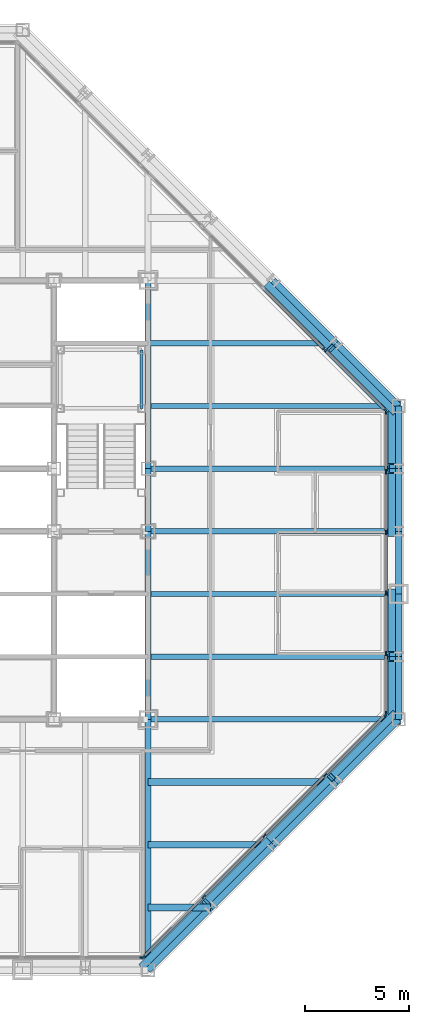
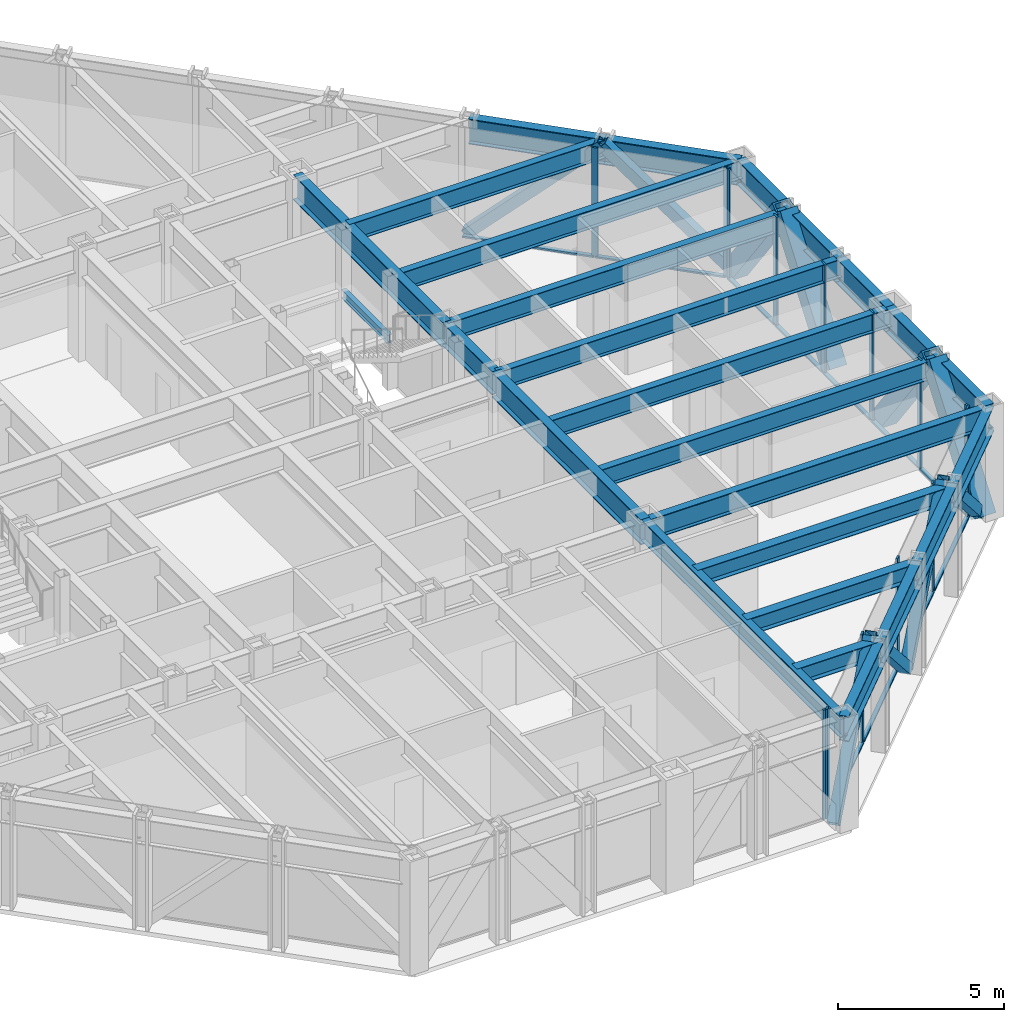
# One storey, part 6 of 15: 35 members, 26 beams, 4 elements without a shape of their own.
"""IFC4 building model written with IfcOpenShell, lengths in metres."""

from ifc_helpers import new_model, si_unit, direction, frame, origin, origin_2d, place, context, subcontext, project, spatial, rectangle, hollow_rectangle, i_section, extrude, material, layer, layer_set, material_profile, profile_set, type_object, element, aggregate, save


model = new_model("IFC4")

# Units and contexts
model_context = context("Model", 3, precision=1e-05, world=origin(), true_north=direction((0.0, 1.0)))
body_context = subcontext(model_context, "Body", "Model", "MODEL_VIEW")
ifc_project = project(units=[si_unit("LENGTHUNIT", "METRE"), si_unit("AREAUNIT", "SQUARE_METRE"), si_unit("VOLUMEUNIT", "CUBIC_METRE"), si_unit("PLANEANGLEUNIT", "RADIAN"), si_unit("MASSUNIT", "GRAM", prefix="KILO")], contexts=[model_context])

# Site, building, storey
site_placement = place(None, origin())
site = spatial("IfcSite", under=ifc_project, at=site_placement, CompositionType="ELEMENT")
building_placement = place(site_placement, origin())
building = spatial("IfcBuilding", under=site, at=building_placement, Name="Chuquiago Exchange Tower", CompositionType="ELEMENT")
storey_placement = place(building_placement, frame((0.0, 0.0, 197.10009765625)))
storey = spatial("IfcBuildingStorey", under=building, at=storey_placement, Name="L43", CompositionType="ELEMENT", Elevation=197.10009765625)

# Beams
ifc_material_1 = material(Name="Steel ASTM A992", Category="steel")
ifc_material_profile_1 = material_profile(ifc_material_1, i_section(OverallWidth=0.25390625, OverallDepth=0.683349609375, WebThickness=0.012451171875, FlangeThickness=0.018798828125, at=origin_2d()), Name="W27X94")
ifc_profile_set_1 = profile_set([ifc_material_profile_1], Name="Steel ASTM A992")
beam_type_1 = type_object("IfcBeamType", Name="B1 W27X94", PredefinedType="BEAM", material=ifc_profile_set_1)
for number, where, z_axis, x_axis, name in (
    (1, (33.0, 15.0, 3.6982421875), (1.0, 0.0, 0.0), (0.0, 1.0, 0.0), "FB-L44-infill-33_15-45_15-0"),
    (2, (33.0, 18.0, 3.6982421875), (1.0, 0.0, 0.0), (0.0, 1.0, 0.0), "FB-L44-infill-33_18-45_18-0"),
    (3, (33.0, 21.0, 3.6982421875), (1.0, 0.0, 0.0), (0.0, 1.0, 0.0), "FB-L44-infill-33_21-45_21-0"),
    (4, (33.0, 24.0, 3.6982421875), (1.0, 0.0, 0.0), (0.0, 1.0, 0.0), "FB-L44-infill-33_24-45_24-0"),
    (5, (33.0, 27.0, 3.6982421875), (1.0, 0.0, 0.0), (0.0, 1.0, 0.0), "FB-L44-infill-33_27-45_27-0"),
):
    element("IfcBeam", number, at=place(storey_placement, frame(where, z_axis=z_axis, x_axis=x_axis)), inside=storey, type_object=beam_type_1, Name=name, PredefinedType="BEAM", context=body_context, shape_type="SweptSolid", body=[
        extrude(i_section(OverallWidth=0.25390625, OverallDepth=0.683349609375, WebThickness=0.012451171875, FlangeThickness=0.018798828125, at=origin_2d()), origin(), (0.0, 0.0, 1.0), 12.0),
    ])
beam_1_placement = place(storey_placement, frame((33.0, 30.0, 3.6982421875), z_axis=(1.0, 0.0, 0.0), x_axis=(0.0, 1.0, 0.0)))
element("IfcBeam", 6, at=beam_1_placement, inside=storey, type_object=beam_type_1, Name="FB-L44-infill-33_30-42_30-0", PredefinedType="BEAM", context=body_context, shape_type="SweptSolid", body=[
    extrude(i_section(OverallWidth=0.25390625, OverallDepth=0.683349609375, WebThickness=0.012451171875, FlangeThickness=0.018798828125, at=origin_2d()), origin(), (0.0, 0.0, 1.0), 9.0),
])
ifc_material_2 = material(Name="Steel ASTM A992", Category="steel")
ifc_material_profile_2 = material_profile(ifc_material_2, i_section(OverallWidth=0.307373046875, OverallDepth=0.927001953125, WebThickness=0.01953125, FlangeThickness=0.031982421875, at=origin_2d()), Name="W36X194")
ifc_profile_set_2 = profile_set([ifc_material_profile_2], Name="Steel ASTM A992")
beam_type_2 = type_object("IfcBeamType", Name="B10 W36X194", PredefinedType="BEAM", material=ifc_profile_set_2)
for number, where, z_axis, x_axis, name in (
    (7, (33.0, 12.0, 3.576416015625), (0.0, 1.0, 0.0), (-1.0, 0.0, 0.0), "CB-L44-33_12-33_21"),
    (8, (33.0, 24.0, 3.576416015625), (0.0, 1.0, 0.0), (-1.0, 0.0, 0.0), "CB-L44-33_24-33_33"),
):
    element("IfcBeam", number, at=place(storey_placement, frame(where, z_axis=z_axis, x_axis=x_axis)), inside=storey, type_object=beam_type_2, Name=name, PredefinedType="BEAM", context=body_context, shape_type="SweptSolid", body=[
        extrude(i_section(OverallWidth=0.307373046875, OverallDepth=0.927001953125, WebThickness=0.01953125, FlangeThickness=0.031982421875, at=origin_2d()), origin(), (0.0, 0.0, 1.0), 9.0),
    ])
ifc_material_3 = material(Name="Steel ASTM A992", Category="steel")
ifc_material_profile_3 = material_profile(ifc_material_3, i_section(OverallWidth=0.3251953125, OverallDepth=0.612060546875, WebThickness=0.0126953125, FlangeThickness=0.01904296875, at=origin_2d()), Name="W24X104")
ifc_profile_set_3 = profile_set([ifc_material_profile_3], Name="Steel ASTM A992")
beam_type_3 = type_object("IfcBeamType", Name="B2 W24X104", PredefinedType="BEAM", material=ifc_profile_set_3)
beam_2_placement = place(storey_placement, frame((33.0, 3.0, 3.73388671875), z_axis=(1.0, 0.0, 0.0), x_axis=(0.0, 1.0, 0.0)))
element("IfcBeam", 9, at=beam_2_placement, inside=storey, type_object=beam_type_3, Name="FB-L44-corner-33_3-36_3-0", PredefinedType="BEAM", context=body_context, shape_type="SweptSolid", body=[
    extrude(i_section(OverallWidth=0.3251953125, OverallDepth=0.612060546875, WebThickness=0.0126953125, FlangeThickness=0.01904296875, at=origin_2d()), origin(), (0.0, 0.0, 1.0), 3.0),
])
beam_3_placement = place(storey_placement, frame((33.0, 6.0, 3.73388671875), z_axis=(1.0, 0.0, 0.0), x_axis=(0.0, 1.0, 0.0)))
element("IfcBeam", 10, at=beam_3_placement, inside=storey, type_object=beam_type_3, Name="FB-L44-corner-33_6-39_6-0", PredefinedType="BEAM", context=body_context, shape_type="SweptSolid", body=[
    extrude(i_section(OverallWidth=0.3251953125, OverallDepth=0.612060546875, WebThickness=0.0126953125, FlangeThickness=0.01904296875, at=origin_2d()), origin(), (0.0, 0.0, 1.0), 6.0),
])
beam_4_placement = place(storey_placement, frame((33.0, 9.0, 3.73388671875), z_axis=(1.0, 0.0, 0.0), x_axis=(0.0, 1.0, 0.0)))
element("IfcBeam", 11, at=beam_4_placement, inside=storey, type_object=beam_type_3, Name="FB-L44-corner-33_9-42_9-0", PredefinedType="BEAM", context=body_context, shape_type="SweptSolid", body=[
    extrude(i_section(OverallWidth=0.3251953125, OverallDepth=0.612060546875, WebThickness=0.0126953125, FlangeThickness=0.01904296875, at=origin_2d()), origin(), (0.0, 0.0, 1.0), 9.0),
])
ifc_material_4 = material(Name="Steel ASTM A992", Category="steel")
ifc_material_profile_4 = material_profile(ifc_material_4, i_section(OverallWidth=0.2919921875, OverallDepth=0.8583984375, WebThickness=0.01708984375, FlangeThickness=0.031005859375, at=origin_2d()), Name="W33X169")
ifc_profile_set_4 = profile_set([ifc_material_profile_4], Name="Steel ASTM A992")
beam_type_4 = type_object("IfcBeamType", Name="B3 W33X169", PredefinedType="BEAM", material=ifc_profile_set_4)
beam_5_placement = place(storey_placement, frame((33.0, 21.0, 3.610595703125), z_axis=(0.0, 1.0, 0.0), x_axis=(-1.0, 0.0, 0.0)))
element("IfcBeam", 12, at=beam_5_placement, inside=storey, type_object=beam_type_4, Name="CB-L44-33_21-33_24", PredefinedType="BEAM", context=body_context, shape_type="SweptSolid", body=[
    extrude(i_section(OverallWidth=0.2919921875, OverallDepth=0.8583984375, WebThickness=0.01708984375, FlangeThickness=0.031005859375, at=origin_2d()), origin(), (0.0, 0.0, 1.0), 3.0),
])

# Curtain wall, member
ifc_material_5 = material(Name="Aluminium curtain wall system", Category="aluminium")
ifc_layer_1 = layer(ifc_material_5, 0.22509765625)
ifc_layer_set_1 = layer_set([ifc_layer_1], Name="CW2 office curtain wall")
curtain_wall_type_1 = type_object("IfcCurtainWallType", Name="CW2 office curtain wall", PredefinedType="NOTDEFINED", material=ifc_layer_set_1)
curtain_wall_1_placement = place(storey_placement, origin())
curtain_wall_1 = element("IfcCurtainWall", 13, at=curtain_wall_1_placement, inside=storey, type_object=curtain_wall_type_1, Name="CW2 curtain wall L43", PredefinedType="NOTDEFINED")
ifc_material_6 = material(Name="Aluminium mullion, pale anodised", Category="aluminium")
ifc_material_profile_5 = material_profile(ifc_material_6, rectangle(XDim=0.06494140625, YDim=0.22509765625, at=origin_2d()), Name="AL 65x225")
ifc_profile_set_5 = profile_set([ifc_material_profile_5], Name="Aluminium mullion, pale anodised")
member_type_1 = type_object("IfcMemberType", Name="CW2-M mullion 65x225", PredefinedType="MULLION", material=ifc_profile_set_5)
member_1_placement = place(storey_placement, frame((32.718994140625, 0.60009765625, 0.0), z_axis=(0.0, 0.0, 1.0), x_axis=(0.0, 1.0, 0.0)))
member_1 = element("IfcMember", 14, at=member_1_placement, type_object=member_type_1, Name="CW2 mullion 6", PredefinedType="MULLION", context=body_context, shape_type="SweptSolid", body=[
    extrude(rectangle(XDim=0.06494140625, YDim=0.22509765625, at=origin_2d()), origin(), (0.0, 0.0, 1.0), 4.039794921875),
])
aggregate(curtain_wall_1, [member_1])

# Curtain wall, members
curtain_wall_2_placement = place(storey_placement, origin())
curtain_wall_2 = element("IfcCurtainWall", 15, at=curtain_wall_2_placement, inside=storey, type_object=curtain_wall_type_1, Name="CW2 curtain wall L43", PredefinedType="NOTDEFINED")
member_2_placement = place(storey_placement, frame((44.39990234375, 12.281005859375, 0.0), z_axis=(0.0, 0.0, 1.0), x_axis=(-1.0, 0.0, 0.0)))
member_2 = element("IfcMember", 16, at=member_2_placement, type_object=member_type_1, Name="CW2 mullion 1", PredefinedType="MULLION", context=body_context, shape_type="SweptSolid", body=[
    extrude(rectangle(XDim=0.06494140625, YDim=0.22509765625, at=origin_2d()), origin(), (0.0, 0.0, 1.0), 4.039794921875),
])
member_3_placement = place(storey_placement, frame((44.39990234375, 15.149169921875, 0.0), z_axis=(0.0, 0.0, 1.0), x_axis=(-1.0, 0.0, 0.0)))
member_3 = element("IfcMember", 17, at=member_3_placement, type_object=member_type_1, Name="CW2 mullion 2", PredefinedType="MULLION", context=body_context, shape_type="SweptSolid", body=[
    extrude(rectangle(XDim=0.06494140625, YDim=0.22509765625, at=origin_2d()), origin(), (0.0, 0.0, 1.0), 4.039794921875),
])
member_4_placement = place(storey_placement, frame((44.39990234375, 18.0498046875, 0.0), z_axis=(0.0, 0.0, 1.0), x_axis=(-1.0, 0.0, 0.0)))
member_4 = element("IfcMember", 18, at=member_4_placement, type_object=member_type_1, Name="CW2 mullion 3", PredefinedType="MULLION", context=body_context, shape_type="SweptSolid", body=[
    extrude(rectangle(XDim=0.06494140625, YDim=0.22509765625, at=origin_2d()), origin(), (0.0, 0.0, 1.0), 4.039794921875),
])
member_5_placement = place(storey_placement, frame((44.39990234375, 20.9501953125, 0.0), z_axis=(0.0, 0.0, 1.0), x_axis=(-1.0, 0.0, 0.0)))
member_5 = element("IfcMember", 19, at=member_5_placement, type_object=member_type_1, Name="CW2 mullion 4", PredefinedType="MULLION", context=body_context, shape_type="SweptSolid", body=[
    extrude(rectangle(XDim=0.06494140625, YDim=0.22509765625, at=origin_2d()), origin(), (0.0, 0.0, 1.0), 4.039794921875),
])
member_6_placement = place(storey_placement, frame((44.39990234375, 23.850830078125, 0.0), z_axis=(0.0, 0.0, 1.0), x_axis=(-1.0, 0.0, 0.0)))
member_6 = element("IfcMember", 20, at=member_6_placement, type_object=member_type_1, Name="CW2 mullion 5", PredefinedType="MULLION", context=body_context, shape_type="SweptSolid", body=[
    extrude(rectangle(XDim=0.06494140625, YDim=0.22509765625, at=origin_2d()), origin(), (0.0, 0.0, 1.0), 4.039794921875),
])
member_7_placement = place(storey_placement, frame((44.39990234375, 26.718994140625, 0.0), z_axis=(0.0, 0.0, 1.0), x_axis=(-1.0, 0.0, 0.0)))
member_7 = element("IfcMember", 21, at=member_7_placement, type_object=member_type_1, Name="CW2 mullion 6", PredefinedType="MULLION", context=body_context, shape_type="SweptSolid", body=[
    extrude(rectangle(XDim=0.06494140625, YDim=0.22509765625, at=origin_2d()), origin(), (0.0, 0.0, 1.0), 4.039794921875),
])
ifc_material_7 = material(Name="Aluminium transom, pale anodised", Category="aluminium")
ifc_material_profile_6 = material_profile(ifc_material_7, rectangle(XDim=0.139892578125, YDim=0.06494140625, at=origin_2d()), Name="AL 140x65")
ifc_profile_set_6 = profile_set([ifc_material_profile_6], Name="Aluminium transom, pale anodised")
member_type_2 = type_object("IfcMemberType", Name="CW2-T transom 65x140", PredefinedType="MULLION", material=ifc_profile_set_6)
member_8_placement = place(storey_placement, frame((44.39990234375, 12.3134765625, 0.032470703125), z_axis=(0.0, 1.0, 0.0), x_axis=(-1.0, 0.0, 0.0)))
member_8 = element("IfcMember", 22, at=member_8_placement, type_object=member_type_2, Name="CW2 transom 1.1", PredefinedType="MULLION", context=body_context, shape_type="SweptSolid", body=[
    extrude(rectangle(XDim=0.139892578125, YDim=0.06494140625, at=origin_2d()), origin(), (0.0, 0.0, 1.0), 2.80322265625),
])
member_9_placement = place(storey_placement, frame((44.39990234375, 15.181640625, 0.032470703125), z_axis=(0.0, 1.0, 0.0), x_axis=(-1.0, 0.0, 0.0)))
member_9 = element("IfcMember", 23, at=member_9_placement, type_object=member_type_2, Name="CW2 transom 2.1", PredefinedType="MULLION", context=body_context, shape_type="SweptSolid", body=[
    extrude(rectangle(XDim=0.139892578125, YDim=0.06494140625, at=origin_2d()), origin(), (0.0, 0.0, 1.0), 2.83544921875),
])
member_10_placement = place(storey_placement, frame((44.39990234375, 18.082275390625, 0.032470703125), z_axis=(0.0, 1.0, 0.0), x_axis=(-1.0, 0.0, 0.0)))
member_10 = element("IfcMember", 24, at=member_10_placement, type_object=member_type_2, Name="CW2 transom 3.1", PredefinedType="MULLION", context=body_context, shape_type="SweptSolid", body=[
    extrude(rectangle(XDim=0.139892578125, YDim=0.06494140625, at=origin_2d()), origin(), (0.0, 0.0, 1.0), 2.83544921875),
])
member_11_placement = place(storey_placement, frame((44.39990234375, 20.98291015625, 0.032470703125), z_axis=(0.0, 1.0, 0.0), x_axis=(-1.0, 0.0, 0.0)))
member_11 = element("IfcMember", 25, at=member_11_placement, type_object=member_type_2, Name="CW2 transom 4.1", PredefinedType="MULLION", context=body_context, shape_type="SweptSolid", body=[
    extrude(rectangle(XDim=0.139892578125, YDim=0.06494140625, at=origin_2d()), origin(), (0.0, 0.0, 1.0), 2.83544921875),
])
member_12_placement = place(storey_placement, frame((44.39990234375, 23.88330078125, 0.032470703125), z_axis=(0.0, 1.0, 0.0), x_axis=(-1.0, 0.0, 0.0)))
member_12 = element("IfcMember", 26, at=member_12_placement, type_object=member_type_2, Name="CW2 transom 5.1", PredefinedType="MULLION", context=body_context, shape_type="SweptSolid", body=[
    extrude(rectangle(XDim=0.139892578125, YDim=0.06494140625, at=origin_2d()), origin(), (0.0, 0.0, 1.0), 2.80322265625),
])
aggregate(curtain_wall_2, [member_2, member_3, member_4, member_5, member_6, member_7, member_8, member_9, member_10, member_11, member_12])

ifc_material_8 = material(Name="Aluminium curtain wall system", Category="aluminium")
ifc_layer_2 = layer(ifc_material_8, 0.199951171875)
ifc_layer_set_2 = layer_set([ifc_layer_2], Name="CW3 facet curtain wall")
curtain_wall_type_2 = type_object("IfcCurtainWallType", Name="CW3 facet curtain wall", PredefinedType="NOTDEFINED", material=ifc_layer_set_2)
curtain_wall_3_placement = place(storey_placement, origin())
curtain_wall_3 = element("IfcCurtainWall", 27, at=curtain_wall_3_placement, inside=storey, type_object=curtain_wall_type_2, Name="CW3 curtain wall L43", PredefinedType="NOTDEFINED")
ifc_material_9 = material(Name="Aluminium mullion, pale anodised", Category="aluminium")
ifc_material_profile_7 = material_profile(ifc_material_9, rectangle(XDim=0.06494140625, YDim=0.199951171875, at=origin_2d()), Name="AL 65x200")
ifc_profile_set_7 = profile_set([ifc_material_profile_7], Name="Aluminium mullion, pale anodised")
member_type_3 = type_object("IfcMemberType", Name="CW3-M mullion 65x200", PredefinedType="MULLION", material=ifc_profile_set_7)
member_13_placement = place(storey_placement, frame((32.7744140625, 0.623046875, 0.0), z_axis=(0.0, 0.0, 1.0), x_axis=(-0.707106781187, 0.707106781187, 0.0)))
member_13 = element("IfcMember", 28, at=member_13_placement, type_object=member_type_3, Name="CW3 mullion 1", PredefinedType="MULLION", context=body_context, shape_type="SweptSolid", body=[
    extrude(rectangle(XDim=0.06494140625, YDim=0.199951171875, at=origin_2d()), origin(), (0.0, 0.0, 1.0), 4.039794921875),
])
member_14_placement = place(storey_placement, frame((35.66357421875, 3.51220703125, 0.0), z_axis=(0.0, 0.0, 1.0), x_axis=(-0.707106781187, 0.707106781187, 0.0)))
member_14 = element("IfcMember", 29, at=member_14_placement, type_object=member_type_3, Name="CW3 mullion 2", PredefinedType="MULLION", context=body_context, shape_type="SweptSolid", body=[
    extrude(rectangle(XDim=0.06494140625, YDim=0.199951171875, at=origin_2d()), origin(), (0.0, 0.0, 1.0), 4.039794921875),
])
member_15_placement = place(storey_placement, frame((38.57568359375, 6.42431640625, 0.0), z_axis=(0.0, 0.0, 1.0), x_axis=(-0.707106781187, 0.707106781187, 0.0)))
member_15 = element("IfcMember", 30, at=member_15_placement, type_object=member_type_3, Name="CW3 mullion 3", PredefinedType="MULLION", context=body_context, shape_type="SweptSolid", body=[
    extrude(rectangle(XDim=0.06494140625, YDim=0.199951171875, at=origin_2d()), origin(), (0.0, 0.0, 1.0), 4.039794921875),
])
member_16_placement = place(storey_placement, frame((41.48779296875, 9.33642578125, 0.0), z_axis=(0.0, 0.0, 1.0), x_axis=(-0.707106781187, 0.707106781187, 0.0)))
member_16 = element("IfcMember", 31, at=member_16_placement, type_object=member_type_3, Name="CW3 mullion 4", PredefinedType="MULLION", context=body_context, shape_type="SweptSolid", body=[
    extrude(rectangle(XDim=0.06494140625, YDim=0.199951171875, at=origin_2d()), origin(), (0.0, 0.0, 1.0), 4.039794921875),
])
member_17_placement = place(storey_placement, frame((44.376953125, 12.2255859375, 0.0), z_axis=(0.0, 0.0, 1.0), x_axis=(-0.707106781187, 0.707106781187, 0.0)))
member_17 = element("IfcMember", 32, at=member_17_placement, type_object=member_type_3, Name="CW3 mullion 5", PredefinedType="MULLION", context=body_context, shape_type="SweptSolid", body=[
    extrude(rectangle(XDim=0.06494140625, YDim=0.199951171875, at=origin_2d()), origin(), (0.0, 0.0, 1.0), 4.039794921875),
])

curtain_wall_4_placement = place(storey_placement, origin())
curtain_wall_4 = element("IfcCurtainWall", 33, at=curtain_wall_4_placement, inside=storey, type_object=curtain_wall_type_2, Name="CW3 curtain wall L43", PredefinedType="NOTDEFINED")
member_18_placement = place(storey_placement, frame((44.376953125, 26.7744140625, 0.0), z_axis=(0.0, 0.0, 1.0), x_axis=(-0.707106781187, -0.707106781187, 0.0)))
member_18 = element("IfcMember", 34, at=member_18_placement, type_object=member_type_3, Name="CW3 mullion 1", PredefinedType="MULLION", context=body_context, shape_type="SweptSolid", body=[
    extrude(rectangle(XDim=0.06494140625, YDim=0.199951171875, at=origin_2d()), origin(), (0.0, 0.0, 1.0), 4.039794921875),
])
member_19_placement = place(storey_placement, frame((41.45849609375, 29.69287109375, 0.0), z_axis=(0.0, 0.0, 1.0), x_axis=(-0.707106781187, -0.707106781187, 0.0)))
member_19 = element("IfcMember", 35, at=member_19_placement, type_object=member_type_3, Name="CW3 mullion 2", PredefinedType="MULLION", context=body_context, shape_type="SweptSolid", body=[
    extrude(rectangle(XDim=0.06494140625, YDim=0.199951171875, at=origin_2d()), origin(), (0.0, 0.0, 1.0), 4.039794921875),
])

# Member
ifc_material_10 = material(Name="Aluminium transom, pale anodised", Category="aluminium")
ifc_material_profile_8 = material_profile(ifc_material_10, rectangle(XDim=0.139892578125, YDim=0.06494140625, at=origin_2d()), Name="AL 140x65")
ifc_profile_set_8 = profile_set([ifc_material_profile_8], Name="Aluminium transom, pale anodised")
member_type_4 = type_object("IfcMemberType", Name="CW3-T transom 65x140", PredefinedType="MULLION", material=ifc_profile_set_8)
member_20_placement = place(storey_placement, frame((32.79736328125, 0.64599609375, 0.032470703125), z_axis=(0.707106781187, 0.707106781187, 0.0), x_axis=(-0.707106781187, 0.707106781187, 0.0)))
member_20 = element("IfcMember", 36, at=member_20_placement, type_object=member_type_4, Name="CW3 transom 1.1", PredefinedType="MULLION", context=body_context, shape_type="SweptSolid", body=[
    extrude(rectangle(XDim=0.139892578125, YDim=0.06494140625, at=origin_2d()), origin(), (0.0, 0.0, 1.0), 4.02099609375),
])

member_21_placement = place(storey_placement, frame((35.6865234375, 3.53515625, 0.032470703125), z_axis=(0.707106781187, 0.707106781187, 0.0), x_axis=(-0.707106781187, 0.707106781187, 0.0)))
member_21 = element("IfcMember", 37, at=member_21_placement, type_object=member_type_4, Name="CW3 transom 2.1", PredefinedType="MULLION", context=body_context, shape_type="SweptSolid", body=[
    extrude(rectangle(XDim=0.139892578125, YDim=0.06494140625, at=origin_2d()), origin(), (0.0, 0.0, 1.0), 4.053466796875),
])

member_22_placement = place(storey_placement, frame((38.5986328125, 6.447265625, 0.032470703125), z_axis=(0.707106781187, 0.707106781187, 0.0), x_axis=(-0.707106781187, 0.707106781187, 0.0)))
member_22 = element("IfcMember", 38, at=member_22_placement, type_object=member_type_4, Name="CW3 transom 3.1", PredefinedType="MULLION", context=body_context, shape_type="SweptSolid", body=[
    extrude(rectangle(XDim=0.139892578125, YDim=0.06494140625, at=origin_2d()), origin(), (0.0, 0.0, 1.0), 4.053466796875),
])

member_23_placement = place(storey_placement, frame((41.5107421875, 9.359375, 0.032470703125), z_axis=(0.707106781187, 0.707106781187, 0.0), x_axis=(-0.707106781187, 0.707106781187, 0.0)))
member_23 = element("IfcMember", 39, at=member_23_placement, type_object=member_type_4, Name="CW3 transom 4.1", PredefinedType="MULLION", context=body_context, shape_type="SweptSolid", body=[
    extrude(rectangle(XDim=0.139892578125, YDim=0.06494140625, at=origin_2d()), origin(), (0.0, 0.0, 1.0), 4.02099609375),
])

aggregate(curtain_wall_3, [member_13, member_14, member_15, member_16, member_17, member_20, member_21, member_22, member_23])

member_24_placement = place(storey_placement, frame((44.35400390625, 26.79736328125, 0.032470703125), z_axis=(-0.707106781187, 0.707106781187, 0.0), x_axis=(-0.707106781187, -0.707106781187, 0.0)))
member_24 = element("IfcMember", 40, at=member_24_placement, type_object=member_type_4, Name="CW3 transom 1.1", PredefinedType="MULLION", context=body_context, shape_type="SweptSolid", body=[
    extrude(rectangle(XDim=0.139892578125, YDim=0.06494140625, at=origin_2d()), origin(), (0.0, 0.0, 1.0), 4.0625),
])

member_25_placement = place(storey_placement, frame((41.435546875, 29.7158203125, 0.032470703125), z_axis=(-0.707106781187, 0.707106781187, 0.0), x_axis=(-0.707106781187, -0.707106781187, 0.0)))
member_25 = element("IfcMember", 41, at=member_25_placement, type_object=member_type_4, Name="CW3 transom 2.1", PredefinedType="MULLION", context=body_context, shape_type="SweptSolid", body=[
    extrude(rectangle(XDim=0.139892578125, YDim=0.06494140625, at=origin_2d()), origin(), (0.0, 0.0, 1.0), 4.094970703125),
])

aggregate(curtain_wall_4, [member_18, member_19, member_24, member_25])

# Beams
ifc_material_11 = material(Name="Steel ASTM A992", Category="steel")
ifc_material_profile_9 = material_profile(ifc_material_11, i_section(OverallWidth=0.2666015625, OverallDepth=0.76953125, WebThickness=0.015625, FlangeThickness=0.025390625, at=origin_2d()), Name="W30X132")
ifc_profile_set_9 = profile_set([ifc_material_profile_9], Name="Steel ASTM A992")
beam_type_5 = type_object("IfcBeamType", Name="G1 W30X132", PredefinedType="BEAM", material=ifc_profile_set_9)
for number, where, z_axis, x_axis, name in (
    (42, (33.0, 12.0, 3.655029296875), (0.0, -1.0, 0.0), (1.0, 0.0, 0.0), "FB-L44-girder-33_12-33_-0-0"),
    (43, (33.0, 12.0, 3.655029296875), (1.0, 0.0, 0.0), (0.0, 1.0, 0.0), "FB-L44-girder-33_12-45_12-0"),
):
    element("IfcBeam", number, at=place(storey_placement, frame(where, z_axis=z_axis, x_axis=x_axis)), inside=storey, type_object=beam_type_5, Name=name, PredefinedType="BEAM", context=body_context, shape_type="SweptSolid", body=[
        extrude(i_section(OverallWidth=0.2666015625, OverallDepth=0.76953125, WebThickness=0.015625, FlangeThickness=0.025390625, at=origin_2d()), origin(), (0.0, 0.0, 1.0), 12.0),
    ])

# Members
ifc_material_12 = material(Name="Steel ASTM A500 Grade C", Category="steel")
ifc_material_profile_10 = material_profile(ifc_material_12, hollow_rectangle(XDim=0.355712890625, YDim=0.355712890625, WallThickness=0.0146484375, at=origin_2d()), Name="HSS14X14X5/8")
ifc_profile_set_10 = profile_set([ifc_material_profile_10], Name="Steel ASTM A500 Grade C")
member_type_5 = type_object("IfcMemberType", Name="LB2 HSS14X14X5/8", PredefinedType="BRACE", material=ifc_profile_set_10)
for number, where, z_axis, x_axis, name in (
    (44, (32.7685546875, 0.2314453125, 0.0), (0.51209198167, 0.51209198167, 0.689582195694), (-0.707106781187, 0.707106781187, 0.0), "LB-L43-33_0-36_3"),
    (45, (38.7685546875, 6.2314453125, 0.0), (-0.51209198167, -0.51209198167, 0.689582195694), (0.707106781187, -0.707106781187, 0.0), "LB-L43-36_3-39_6"),
    (46, (38.7685546875, 6.2314453125, 0.0), (0.51209198167, 0.51209198167, 0.689582195694), (-0.707106781187, 0.707106781187, 0.0), "LB-L43-39_6-42_9"),
    (47, (44.7685546875, 12.2314453125, 0.0), (-0.51209198167, -0.51209198167, 0.689582195694), (0.707106781187, -0.707106781187, 0.0), "LB-L43-42_9-45_12"),
    (48, (44.7685546875, 26.7685546875, 0.0), (-0.51209198167, 0.51209198167, 0.689582195694), (-0.707106781187, -0.707106781187, 0.0), "LB-L43-45_27-42_30"),
    (49, (38.7685546875, 32.7685546875, 0.0), (0.51209198167, -0.51209198167, 0.689582195694), (0.707106781187, 0.707106781187, 0.0), "LB-L43-42_30-39_33"),
):
    element("IfcMember", number, at=place(storey_placement, frame(where, z_axis=z_axis, x_axis=x_axis)), inside=storey, type_object=member_type_5, Name=name, PredefinedType="BRACE", context=body_context, shape_type="SweptSolid", body=[
        extrude(hollow_rectangle(XDim=0.355712890625, YDim=0.355712890625, WallThickness=0.0146484375, at=origin_2d()), origin(), (0.0, 0.0, 1.0), 5.8583984375),
    ])

# Beam
ifc_material_13 = material(Name="Steel ASTM A992", Category="steel")
ifc_material_profile_11 = material_profile(ifc_material_13, i_section(OverallWidth=0.164794921875, OverallDepth=0.309814453125, WebThickness=0.005859375, FlangeThickness=0.009765625, at=origin_2d()), Name="W12X26")
ifc_profile_set_11 = profile_set([ifc_material_profile_11], Name="Steel ASTM A992")
beam_type_6 = type_object("IfcBeamType", Name="LS1 W12X26", PredefinedType="BEAM", material=ifc_profile_set_11)
beam_6_placement = place(storey_placement, frame((32.68994140625, 26.889892578125, 1.7451171875), z_axis=(0.0, 1.0, 0.0), x_axis=(-1.0, 0.0, 0.0)))
element("IfcBeam", 50, at=beam_6_placement, inside=storey, type_object=beam_type_6, Name="Stair ST2 L43 landing 1 stringer", PredefinedType="BEAM", context=body_context, shape_type="SweptSolid", body=[
    extrude(i_section(OverallWidth=0.164794921875, OverallDepth=0.309814453125, WebThickness=0.005859375, FlangeThickness=0.009765625, at=origin_2d()), origin(), (0.0, 0.0, 1.0), 2.800048828125),
])

# Members
ifc_material_14 = material(Name="Steel ASTM A572 Grade 50", Category="steel")
ifc_material_profile_12 = material_profile(ifc_material_14, hollow_rectangle(XDim=0.60009765625, YDim=0.60009765625, WallThickness=0.06005859375, at=origin_2d()), Name="BOX600X600X60")
ifc_profile_set_12 = profile_set([ifc_material_profile_12], Name="Steel ASTM A572 Grade 50")
member_type_6 = type_object("IfcMemberType", Name="MB3 BOX600X600X60", PredefinedType="BRACE", material=ifc_profile_set_12)
for number, where, z_axis, x_axis, name in (
    (51, (44.794921875, 12.0, 0.0), (0.0, 0.596197146086, 0.802838067732), (-1.0, 0.0, 0.0), "Mega diagonal L43 E face"),
    (52, (44.794921875, 18.0, 0.0), (0.0, -0.596197146086, 0.802838067732), (1.0, 0.0, 0.0), "Mega diagonal L43 E face"),
    (53, (44.794921875, 21.0, 0.0), (0.0, 0.596197146086, 0.802838067732), (-1.0, 0.0, 0.0), "Mega diagonal L43 E face"),
    (54, (44.794921875, 27.0, 0.0), (0.0, -0.596197146086, 0.802838067732), (1.0, 0.0, 0.0), "Mega diagonal L43 E face"),
):
    element("IfcMember", number, at=place(storey_placement, frame(where, z_axis=z_axis, x_axis=x_axis)), inside=storey, type_object=member_type_6, Name=name, PredefinedType="BRACE", context=body_context, shape_type="SweptSolid", body=[
        extrude(hollow_rectangle(XDim=0.60009765625, YDim=0.60009765625, WallThickness=0.06005859375, at=origin_2d()), origin(), (0.0, 0.0, 1.0), 5.031982421875),
    ])

# Beams
ifc_material_15 = material(Name="Steel ASTM A992", Category="steel")
ifc_material_profile_13 = material_profile(ifc_material_15, i_section(OverallWidth=0.307373046875, OverallDepth=0.927001953125, WebThickness=0.01953125, FlangeThickness=0.031982421875, at=origin_2d()), Name="W36X194")
ifc_profile_set_13 = profile_set([ifc_material_profile_13], Name="Steel ASTM A992")
beam_type_7 = type_object("IfcBeamType", Name="SP3 W36X194", PredefinedType="SPANDREL", material=ifc_profile_set_13)
for number, where, z_axis, x_axis, name in (
    (55, (33.0, 0.0, 3.576416015625), (0.707106781187, 0.707106781187, 0.0), (-0.707106781187, 0.707106781187, 0.0), "SPB-L44-33_0-36_3"),
    (56, (36.0, 3.0, 3.576416015625), (0.707106781187, 0.707106781187, 0.0), (-0.707106781187, 0.707106781187, 0.0), "SPB-L44-36_3-39_6"),
    (57, (39.0, 6.0, 3.576416015625), (0.707106781187, 0.707106781187, 0.0), (-0.707106781187, 0.707106781187, 0.0), "SPB-L44-39_6-42_9"),
    (58, (42.0, 9.0, 3.576416015625), (0.707106781187, 0.707106781187, 0.0), (-0.707106781187, 0.707106781187, 0.0), "SPB-L44-42_9-45_12"),
):
    element("IfcBeam", number, at=place(storey_placement, frame(where, z_axis=z_axis, x_axis=x_axis)), inside=storey, type_object=beam_type_7, Name=name, PredefinedType="SPANDREL", context=body_context, shape_type="SweptSolid", body=[
        extrude(i_section(OverallWidth=0.307373046875, OverallDepth=0.927001953125, WebThickness=0.01953125, FlangeThickness=0.031982421875, at=origin_2d()), origin(), (0.0, 0.0, 1.0), 4.24267578125),
    ])
for number, where, z_axis, x_axis, name in (
    (59, (45.0, 12.0, 3.576416015625), (0.0, 1.0, 0.0), (-1.0, 0.0, 0.0), "SPB-L44-45_12-45_15"),
    (60, (45.0, 15.0, 3.576416015625), (0.0, 1.0, 0.0), (-1.0, 0.0, 0.0), "SPB-L44-45_15-45_18"),
    (61, (45.0, 18.0, 3.576416015625), (0.0, 1.0, 0.0), (-1.0, 0.0, 0.0), "SPB-L44-45_18-45_21"),
    (62, (45.0, 21.0, 3.576416015625), (0.0, 1.0, 0.0), (-1.0, 0.0, 0.0), "SPB-L44-45_21-45_24"),
    (63, (45.0, 24.0, 3.576416015625), (0.0, 1.0, 0.0), (-1.0, 0.0, 0.0), "SPB-L44-45_24-45_27"),
):
    element("IfcBeam", number, at=place(storey_placement, frame(where, z_axis=z_axis, x_axis=x_axis)), inside=storey, type_object=beam_type_7, Name=name, PredefinedType="SPANDREL", context=body_context, shape_type="SweptSolid", body=[
        extrude(i_section(OverallWidth=0.307373046875, OverallDepth=0.927001953125, WebThickness=0.01953125, FlangeThickness=0.031982421875, at=origin_2d()), origin(), (0.0, 0.0, 1.0), 3.0),
    ])
for number, where, z_axis, x_axis, name in (
    (64, (45.0, 27.0, 3.576416015625), (-0.707106781187, 0.707106781187, 0.0), (-0.707106781187, -0.707106781187, 0.0), "SPB-L44-45_27-42_30"),
    (65, (42.0, 30.0, 3.576416015625), (-0.707106781187, 0.707106781187, 0.0), (-0.707106781187, -0.707106781187, 0.0), "SPB-L44-42_30-39_33"),
):
    element("IfcBeam", number, at=place(storey_placement, frame(where, z_axis=z_axis, x_axis=x_axis)), inside=storey, type_object=beam_type_7, Name=name, PredefinedType="SPANDREL", context=body_context, shape_type="SweptSolid", body=[
        extrude(i_section(OverallWidth=0.307373046875, OverallDepth=0.927001953125, WebThickness=0.01953125, FlangeThickness=0.031982421875, at=origin_2d()), origin(), (0.0, 0.0, 1.0), 4.24267578125),
    ])

save(model, "model.ifc")
